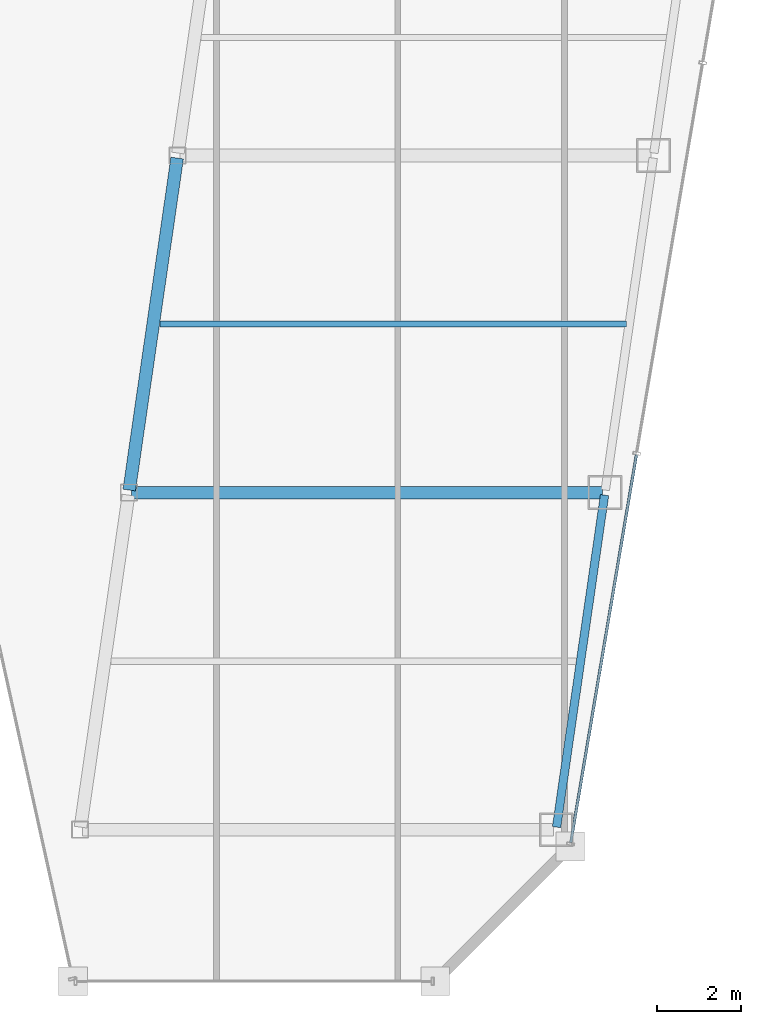
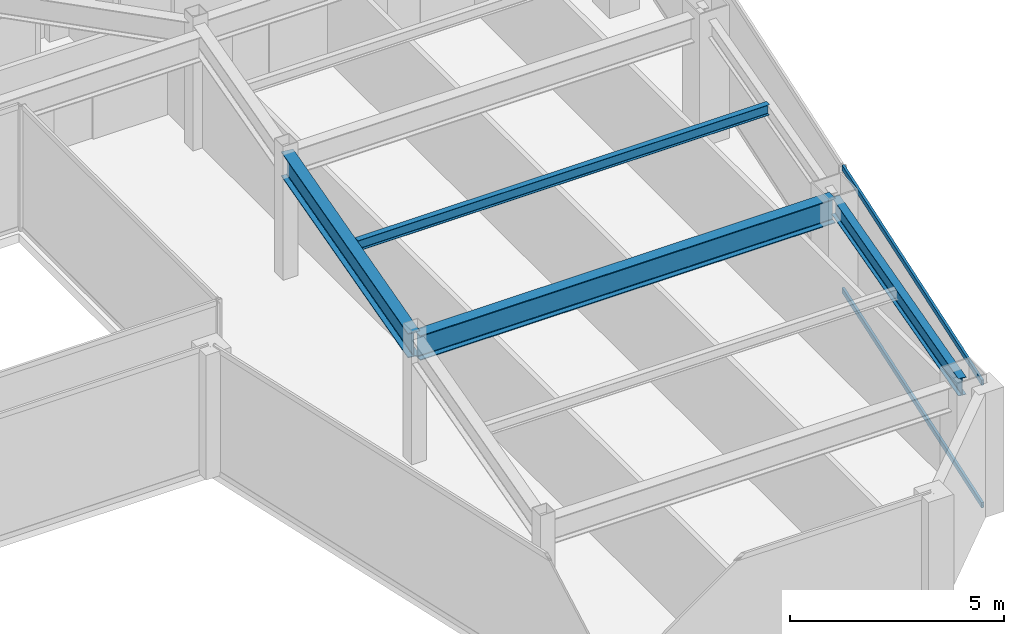
# One storey, part 19 of 36: 4 beams, 2 members, 1 element without a shape of its own.
"""IFC4 building model written with IfcOpenShell, lengths in metres."""

from ifc_helpers import new_model, si_unit, direction, frame, origin, origin_2d, place, context, subcontext, project, spatial, hollow_rectangle, i_section, extrude, material, material_profile, profile_set, type_object, element, aggregate, save


model = new_model("IFC4")

# Units and contexts
model_context = context("Model", 3, precision=1e-05, world=origin(), true_north=direction((0.0, 1.0)))
body_context = subcontext(model_context, "Body", "Model", "MODEL_VIEW")
ifc_project = project(units=[si_unit("LENGTHUNIT", "METRE"), si_unit("AREAUNIT", "SQUARE_METRE"), si_unit("VOLUMEUNIT", "CUBIC_METRE"), si_unit("PLANEANGLEUNIT", "RADIAN"), si_unit("MASSUNIT", "GRAM", prefix="KILO")], contexts=[model_context])

# Site, building, storey
site_placement = place(None, origin())
site = spatial("IfcSite", under=ifc_project, at=site_placement, CompositionType="ELEMENT")
building_placement = place(site_placement, origin())
building = spatial("IfcBuilding", under=site, at=building_placement, Name="Saevonmaru Cultural Tower", CompositionType="ELEMENT")
storey_placement = place(building_placement, frame((0.0, 0.0, 205.60009765625)))
storey = spatial("IfcBuildingStorey", under=building, at=storey_placement, Name="L47", CompositionType="ELEMENT", Elevation=205.60009765625)

# Beams
ifc_material_1 = material(Name="Steel SM355", Category="steel")
ifc_material_profile_1 = material_profile(ifc_material_1, i_section(OverallWidth=0.300048828125, OverallDepth=0.699951171875, WebThickness=0.012939453125, FlangeThickness=0.02392578125, FilletRadius=0.02587890625, at=origin_2d()), Name="H-700x300x13x24")
ifc_profile_set_1 = profile_set([ifc_material_profile_1], Name="Steel SM355")
beam_type_1 = type_object("IfcBeamType", Name="BM-G-H700", PredefinedType="BEAM", material=ifc_profile_set_1)
beam_1_placement = place(storey_placement, frame((39.236572265625, 24.059326171875, 3.199951171875), z_axis=(0.142902032203, 0.989736838353, 0.0), x_axis=(-0.989736838353, 0.142902032203, 0.0)))
element("IfcBeam", 1, at=beam_1_placement, inside=storey, type_object=beam_type_1, Name="L47 East Atrium Girder 2", PredefinedType="BEAM", context=body_context, shape_type="SweptSolid", body=[
    extrude(i_section(OverallWidth=0.300048828125, OverallDepth=0.699951171875, WebThickness=0.012939453125, FlangeThickness=0.02392578125, FilletRadius=0.02587890625, at=origin_2d()), origin(), (0.0, 0.0, 1.0), 7.963134765625),
])
beam_2_placement = place(storey_placement, frame((39.2880859375, 24.0, 3.199951171875), z_axis=(1.0, 0.0, 0.0), x_axis=(0.0, 1.0, 0.0)))
element("IfcBeam", 2, at=beam_2_placement, inside=storey, type_object=beam_type_1, Name="L47 East Wing Transverse Girder 2", PredefinedType="BEAM", context=body_context, shape_type="SweptSolid", body=[
    extrude(i_section(OverallWidth=0.300048828125, OverallDepth=0.699951171875, WebThickness=0.012939453125, FlangeThickness=0.02392578125, FilletRadius=0.02587890625, at=origin_2d()), origin(), (0.0, 0.0, 1.0), 11.179931640625),
])
ifc_material_profile_2 = material_profile(ifc_material_1, i_section(OverallWidth=0.14990234375, OverallDepth=0.300048828125, WebThickness=0.006591796875, FlangeThickness=0.009033203125, FilletRadius=0.012939453125, at=origin_2d()), Name="H-300x150x6.5x9")
ifc_profile_set_2 = profile_set([ifc_material_profile_2], Name="Steel SM355")
beam_type_2 = type_object("IfcBeamType", Name="BM-J-H300", PredefinedType="JOIST", material=ifc_profile_set_2)
beam_3_placement = place(storey_placement, frame((39.96337890625, 28.0, 3.39990234375), z_axis=(1.0, 0.0, 0.0), x_axis=(0.0, 1.0, 0.0)))
element("IfcBeam", 3, at=beam_3_placement, inside=storey, type_object=beam_type_2, Name="L47 East Wing Floor Joist 2", PredefinedType="JOIST", context=body_context, shape_type="SweptSolid", body=[
    extrude(i_section(OverallWidth=0.14990234375, OverallDepth=0.300048828125, WebThickness=0.006591796875, FlangeThickness=0.009033203125, FilletRadius=0.012939453125, at=origin_2d()), origin(), (0.0, 0.0, 1.0), 11.08203125),
])
ifc_material_profile_3 = material_profile(ifc_material_1, i_section(OverallWidth=0.199951171875, OverallDepth=0.5, WebThickness=0.010009765625, FlangeThickness=0.01611328125, FilletRadius=0.02001953125, at=origin_2d()), Name="H-500x200x10x16")
ifc_profile_set_3 = profile_set([ifc_material_profile_3], Name="Steel SM355")
beam_type_3 = type_object("IfcBeamType", Name="BM-SP-H500", PredefinedType="SPANDREL", material=ifc_profile_set_3)
beam_4_placement = place(storey_placement, frame((49.380615234375, 16.059326171875, 3.2998046875), z_axis=(0.142992129437, 0.989723825579, 0.0), x_axis=(-0.989723825579, 0.142992129437, 0.0)))
element("IfcBeam", 4, at=beam_4_placement, inside=storey, type_object=beam_type_3, Name="L47 East Splayed Spandrel 1", PredefinedType="SPANDREL", context=body_context, shape_type="SweptSolid", body=[
    extrude(i_section(OverallWidth=0.199951171875, OverallDepth=0.5, WebThickness=0.010009765625, FlangeThickness=0.01611328125, FilletRadius=0.02001953125, at=origin_2d()), origin(), (0.0, 0.0, 1.0), 7.963134765625),
])

# Curtain wall, members
ifc_material_2 = material(Name="Satin Bronze Anodised Aluminium", Category="aluminium")
curtain_wall_type = type_object("IfcCurtainWallType", Name="CW-TYP-B", PredefinedType="NOTDEFINED", material=ifc_material_2)
curtain_wall_placement = place(storey_placement, origin())
curtain_wall = element("IfcCurtainWall", 5, at=curtain_wall_placement, inside=storey, type_object=curtain_wall_type, Name="L47 Unitised Curtain Wall E8", PredefinedType="NOTDEFINED")
ifc_material_profile_4 = material_profile(ifc_material_2, hollow_rectangle(XDim=0.06494140625, YDim=0.14990234375, WallThickness=0.00390625, at=origin_2d()), Name="ALU-TRAN-150x65x4")
ifc_profile_set_4 = profile_set([ifc_material_profile_4], Name="Satin Bronze Anodised Aluminium")
member_type = type_object("IfcMemberType", Name="TR-CW-150x65", PredefinedType="USERDEFINED", material=ifc_profile_set_4)
member_1_placement = place(storey_placement, frame((49.717529296875, 15.691162109375, 0.032470703125), z_axis=(0.166921263871, 0.985970228591, 0.0), x_axis=(-0.985970228591, 0.166921263871, 0.0)))
member_1 = element("IfcMember", 6, at=member_1_placement, type_object=member_type, Name="CW-TW-L47-E8 transom 1.1", ObjectType="TRANSOM", PredefinedType="USERDEFINED", context=body_context, shape_type="SweptSolid", body=[
    extrude(hollow_rectangle(XDim=0.06494140625, YDim=0.14990234375, WallThickness=0.00390625, at=origin_2d()), origin(), (0.0, 0.0, 1.0), 9.33740234375),
])
member_2_placement = place(storey_placement, frame((49.717529296875, 15.691162109375, 3.517333984375), z_axis=(0.166921263871, 0.985970228591, 0.0), x_axis=(-0.985970228591, 0.166921263871, 0.0)))
member_2 = element("IfcMember", 7, at=member_2_placement, type_object=member_type, Name="CW-TW-L47-E8 transom 1.2", ObjectType="TRANSOM", PredefinedType="USERDEFINED", context=body_context, shape_type="SweptSolid", body=[
    extrude(hollow_rectangle(XDim=0.06494140625, YDim=0.14990234375, WallThickness=0.00390625, at=origin_2d()), origin(), (0.0, 0.0, 1.0), 9.33740234375),
])
aggregate(curtain_wall, [member_1, member_2])

save(model, "model.ifc")
